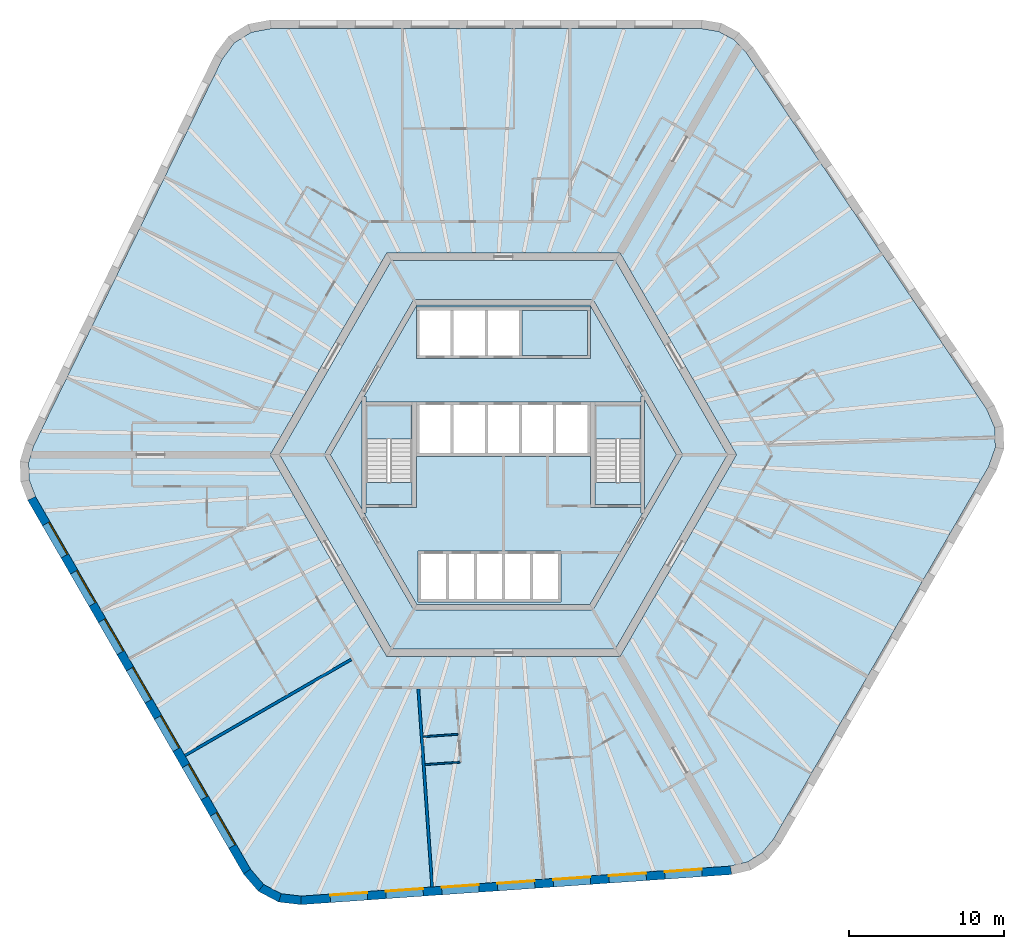
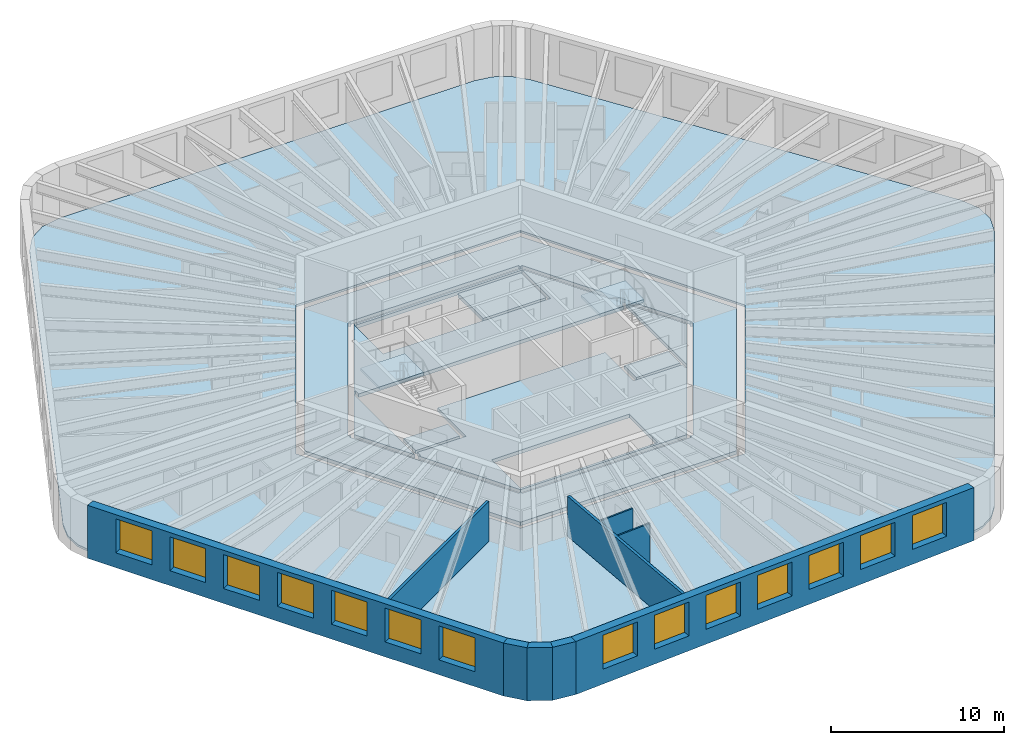
# One storey, part 2 of 10: 14 windows, 11 slabs, 9 walls, 14 openings, 2 elements without a shape of their own.
"""IFC4 building model written with IfcOpenShell, lengths in metres."""

from ifc_helpers import new_model, si_unit, direction, frame, frame_2d, origin, place, context, subcontext, project, spatial, polyline, rectangle, outline, extrude, material, layer, layer_set, type_object, element, fill, aggregate, save


model = new_model("IFC4")

# Units and contexts
model_context = context("Model", 3, precision=1e-05, world=origin(), true_north=direction((0.0, 1.0)))
body_context = subcontext(model_context, "Body", "Model", "MODEL_VIEW")
ifc_project = project(units=[si_unit("LENGTHUNIT", "METRE"), si_unit("AREAUNIT", "SQUARE_METRE"), si_unit("VOLUMEUNIT", "CUBIC_METRE"), si_unit("PLANEANGLEUNIT", "RADIAN"), si_unit("MASSUNIT", "GRAM", prefix="KILO")], contexts=[model_context])

# Site, building, storey
site_placement = place(None, origin())
site = spatial("IfcSite", under=ifc_project, at=site_placement, CompositionType="ELEMENT")
building_placement = place(site_placement, origin())
building = spatial("IfcBuilding", under=site, at=building_placement, Name="Tarnside Tower", CompositionType="ELEMENT")
storey_placement = place(building_placement, frame((0.0, 0.0, 246.300048828125)))
storey = spatial("IfcBuildingStorey", under=building, at=storey_placement, Name="L59", CompositionType="ELEMENT", Elevation=246.300048828125)

# Slabs
ifc_material_1 = material(Name="Concrete C35/45", Category="concrete")
ifc_layer_1 = layer(ifc_material_1, 0.14990234375)
ifc_layer_set_1 = layer_set([ifc_layer_1], Name="Composite floor slab 150")
slab_type_1 = type_object("IfcSlabType", Name="Composite floor slab 150", PredefinedType="FLOOR", material=ifc_layer_set_1)
slab_1_placement = place(storey_placement, frame((0.0, 0.0, -0.150146484375)))
element("IfcSlab", 1, at=slab_1_placement, inside=storey, type_object=slab_type_1, Name="Floor slab L59", PredefinedType="FLOOR", context=body_context, shape_type="SweptSolid", body=[
    extrude(outline(polyline([(13.864013671875, 27.264892578125), (14.85107421875, 26.740234375), (15.6337890625, 25.91064453125), (31.12890625, 2.938232421875), (31.644287109375, 1.7431640625), (31.68896484375, 0.468505859375), (31.258056640625, -0.759521484375), (17.403076171875, -24.7568359375), (16.68017578125, -25.63916015625), (15.732177734375, -26.2314453125), (14.622314453125, -26.494384765625), (-13.02001953125, -28.427490234375), (-14.3125, -28.2763671875), (-15.438720703125, -27.677490234375), (-16.286865234375, -26.6904296875), (-30.1416015625, -2.693115234375), (-30.544189453125, -1.6259765625), (-30.583251953125, -0.5087890625), (-30.256103515625, 0.583984375), (-18.10888671875, 25.4892578125), (-17.331787109375, 26.533203125), (-16.250244140625, 27.208984375), (-14.97119140625, 27.449951171875), (12.738525390625, 27.449951171875), (13.864013671875, 27.264892578125)]), holes=[polyline([(-15.010986328125, 0.0), (-7.505615234375, -13.0), (7.505615234375, -13.0), (15.010986328125, 0.0), (7.505615234375, 13.0), (-7.505615234375, 13.0), (-15.010986328125, 0.0)])]), origin(), (0.0, 0.0, 1.0), 0.150146484375),
])
ifc_material_2 = material(Name="Concrete C40/50", Category="concrete")
ifc_layer_2 = layer(ifc_material_2, 0.25)
ifc_layer_set_2 = layer_set([ifc_layer_2], Name="Core slab C40/50")
slab_type_2 = type_object("IfcSlabType", Name="Core slab C40/50", PredefinedType="FLOOR", material=ifc_layer_set_2)
slab_2_placement = place(storey_placement, frame((0.0, 0.0, -0.25)))
element("IfcSlab", 2, at=slab_2_placement, inside=storey, type_object=slab_type_2, Name="L59 core floor slab 1", PredefinedType="FLOOR", context=body_context, shape_type="SweptSolid", body=[
    extrude(outline(polyline([(-7.216796875, 12.5), (7.216796875, 12.5), (14.433837890625, 0.0), (7.216796875, -12.5), (-7.216796875, -12.5), (-14.433837890625, 0.0), (-7.216796875, 12.5)]), holes=[polyline([(5.823974609375, -9.91259765625), (11.49658203125, -0.08740234375), (11.344970703125, 0.0), (11.49658203125, 0.08740234375), (5.823974609375, 9.91259765625), (5.672607421875, 9.824951171875), (5.672607421875, 10.0), (-5.672607421875, 10.0), (-5.672607421875, 9.824951171875), (-5.823974609375, 9.91259765625), (-11.49658203125, 0.08740234375), (-11.344970703125, 0.0), (-11.49658203125, -0.08740234375), (-5.823974609375, -9.91259765625), (-5.672607421875, -9.824951171875), (-5.672607421875, -10.0), (5.672607421875, -10.0), (5.672607421875, -9.824951171875), (5.823974609375, -9.91259765625)])]), origin(), (0.0, 0.0, 1.0), 0.25),
])
slab_3_placement = place(storey_placement, frame((0.0, 0.0, -0.25)))
element("IfcSlab", 3, at=slab_3_placement, inside=storey, type_object=slab_type_2, Name="L59 core floor slab 2", PredefinedType="FLOOR", context=body_context, shape_type="SweptSolid", body=[
    extrude(outline(polyline([(-8.97509765625, 3.7548828125), (-5.5712890625, 9.64990234375), (5.5712890625, 9.64990234375), (8.97509765625, 3.7548828125), (8.85009765625, 3.7548828125), (8.85009765625, 3.39990234375), (5.89990234375, 3.39990234375), (5.60009765625, 3.39990234375), (5.60009765625, 3.39990234375), (-5.60009765625, 3.39990234375), (-5.89990234375, 3.39990234375), (-8.85009765625, 3.39990234375), (-8.85009765625, 3.7548828125), (-8.97509765625, 3.7548828125)]), holes=[polyline([(-5.60009765625, 6.199951171875), (5.60009765625, 6.199951171875), (5.60009765625, 6.39990234375), (5.60009765625, 9.300048828125), (5.60009765625, 9.5), (-5.60009765625, 9.5), (-5.60009765625, 9.300048828125), (-5.60009765625, 6.39990234375), (-5.60009765625, 6.199951171875)])]), origin(), (0.0, 0.0, 1.0), 0.25),
])
slab_4_placement = place(storey_placement, frame((0.0, 0.0, -0.25)))
element("IfcSlab", 4, at=slab_4_placement, inside=storey, type_object=slab_type_2, Name="L59 core floor slab 3", PredefinedType="FLOOR", context=body_context, shape_type="SweptSolid", body=[
    extrude(outline(polyline([(5.60009765625, -3.39990234375), (5.89990234375, -3.39990234375), (8.85009765625, -3.39990234375), (8.85009765625, -3.7548828125), (8.97509765625, -3.7548828125), (5.5712890625, -9.64990234375), (-5.5712890625, -9.64990234375), (-8.97509765625, -3.7548828125), (-8.85009765625, -3.7548828125), (-8.85009765625, -3.39990234375), (-5.89990234375, -3.39990234375), (-5.60009765625, -3.39990234375), (-5.60009765625, -0.10009765625), (5.60009765625, -0.10009765625), (5.60009765625, -3.39990234375)]), holes=[polyline([(-5.5, -9.300048828125), (-5.5, -9.5), (3.699951171875, -9.5), (3.699951171875, -9.300048828125), (3.699951171875, -6.39990234375), (3.699951171875, -6.199951171875), (-5.5, -6.199951171875), (-5.5, -6.39990234375), (-5.5, -9.300048828125)])]), origin(), (0.0, 0.0, 1.0), 0.25),
])
slab_5_placement = place(storey_placement, frame((0.0, 0.0, -0.25)))
element("IfcSlab", 5, at=slab_5_placement, inside=storey, type_object=slab_type_2, Name="L59 core floor slab 4", PredefinedType="FLOOR", context=body_context, shape_type="SweptSolid", body=[
    extrude(outline(polyline([(-11.142822265625, 0.0), (-9.10009765625, 3.538330078125), (-9.10009765625, -3.538330078125), (-11.142822265625, 0.0)])), origin(), (0.0, 0.0, 1.0), 0.25),
])
slab_6_placement = place(storey_placement, frame((0.0, 0.0, -0.25)))
element("IfcSlab", 6, at=slab_6_placement, inside=storey, type_object=slab_type_2, Name="L59 core floor slab 5", PredefinedType="FLOOR", context=body_context, shape_type="SweptSolid", body=[
    extrude(outline(polyline([(-8.85009765625, -1.800048828125), (-5.89990234375, -1.800048828125), (-5.89990234375, -3.199951171875), (-8.85009765625, -3.199951171875), (-8.85009765625, -1.800048828125)])), origin(), (0.0, 0.0, 1.0), 0.25),
])
slab_7_placement = place(storey_placement, frame((0.0, 0.0, -0.25)))
element("IfcSlab", 7, at=slab_7_placement, inside=storey, type_object=slab_type_2, Name="L59 core floor slab 6", PredefinedType="FLOOR", context=body_context, shape_type="SweptSolid", body=[
    extrude(outline(polyline([(5.89990234375, -3.199951171875), (5.89990234375, -1.800048828125), (8.85009765625, -1.800048828125), (8.85009765625, -3.199951171875), (5.89990234375, -3.199951171875)])), origin(), (0.0, 0.0, 1.0), 0.25),
])
slab_8_placement = place(storey_placement, frame((0.0, 0.0, -0.25)))
element("IfcSlab", 8, at=slab_8_placement, inside=storey, type_object=slab_type_2, Name="L59 core floor slab 7", PredefinedType="FLOOR", context=body_context, shape_type="SweptSolid", body=[
    extrude(outline(polyline([(9.10009765625, -3.538330078125), (9.10009765625, 3.538330078125), (11.142822265625, 0.0), (9.10009765625, -3.538330078125)])), origin(), (0.0, 0.0, 1.0), 0.25),
])
slab_9_placement = place(storey_placement, frame((0.0, 0.0, -0.25)))
element("IfcSlab", 9, at=slab_9_placement, inside=storey, type_object=slab_type_2, Name="L59 core floor slab 8", PredefinedType="FLOOR", context=body_context, shape_type="SweptSolid", body=[
    extrude(outline(polyline([(5.39990234375, 9.300048828125), (5.39990234375, 6.39990234375), (1.199951171875, 6.39990234375), (1.199951171875, 9.300048828125), (5.39990234375, 9.300048828125)])), origin(), (0.0, 0.0, 1.0), 0.25),
])

# Stair, slab
stair_type = type_object("IfcStairType", Name="Exit stair 1400 clear", PredefinedType="HALF_TURN_STAIR", material=ifc_material_2)
stair_1_placement = place(storey_placement, origin())
stair_1 = element("IfcStair", 10, at=stair_1_placement, inside=storey, type_object=stair_type, Name="L59 Exit stair 1", PredefinedType="HALF_TURN_STAIR")
ifc_layer_3 = layer(ifc_material_2, 0.199951171875)
ifc_layer_set_3 = layer_set([ifc_layer_3], Name="Stair landing 200 C40/50")
slab_type_3 = type_object("IfcSlabType", Name="Stair landing 200 C40/50", PredefinedType="LANDING", material=ifc_layer_set_3)
slab_10_placement = place(storey_placement, frame((0.0, 0.0, 1.75)))
slab_10 = element("IfcSlab", 11, at=slab_10_placement, type_object=slab_type_3, Name="ST1 landing 1", PredefinedType="LANDING", context=body_context, shape_type="SweptSolid", body=[
    extrude(outline(polyline([(8.85009765625, 1.0), (8.85009765625, 3.199951171875), (5.89990234375, 3.199951171875), (5.89990234375, 1.0), (8.85009765625, 1.0)])), origin(), (0.0, 0.0, 1.0), 0.199951171875),
])
aggregate(stair_1, [slab_10])

stair_2_placement = place(storey_placement, origin())
stair_2 = element("IfcStair", 12, at=stair_2_placement, inside=storey, type_object=stair_type, Name="L59 Exit stair 2", PredefinedType="HALF_TURN_STAIR")
slab_11_placement = place(storey_placement, frame((0.0, 0.0, 1.75)))
slab_11 = element("IfcSlab", 13, at=slab_11_placement, type_object=slab_type_3, Name="ST2 landing 1", PredefinedType="LANDING", context=body_context, shape_type="SweptSolid", body=[
    extrude(outline(polyline([(-5.89990234375, 1.0), (-5.89990234375, 3.199951171875), (-8.85009765625, 3.199951171875), (-8.85009765625, 1.0), (-5.89990234375, 1.0)])), origin(), (0.0, 0.0, 1.0), 0.199951171875),
])
aggregate(stair_2, [slab_11])

# Walls
ifc_material_3 = material(Name="Gypsum board partition on steel studs", Category="steel")
ifc_layer_4 = layer(ifc_material_3, 0.10009765625)
ifc_layer_set_4 = layer_set([ifc_layer_4], Name="Bathroom wall 100")
wall_type_1 = type_object("IfcWallType", Name="Bathroom wall 100", PredefinedType="PARTITIONING", material=ifc_layer_set_4)
wall_1_placement = place(storey_placement, frame((-5.173583984375, -18.16357421875, 0.0), z_axis=(0.0, 0.0, 1.0), x_axis=(0.997562351999, 0.069780755754, 0.0)))
element("IfcWall", 14, at=wall_1_placement, inside=storey, type_object=wall_type_1, Name="Bathroom wall 19095", PredefinedType="PARTITIONING", context=body_context, shape_type="SweptSolid", body=[
    extrude(rectangle(XDim=2.26025390625, YDim=0.10009765625, at=frame_2d((1.130126953125, 0.0))), origin(), (0.0, 0.0, 1.0), 2.837646484375),
])
ifc_layer_5 = layer(ifc_material_3, 0.179931640625)
ifc_layer_set_5 = layer_set([ifc_layer_5], Name="Demising wall 180 EI 60")
wall_type_2 = type_object("IfcWallType", Name="Demising wall 180 EI 60", PredefinedType="PARTITIONING", material=ifc_layer_set_5)
wall_2_placement = place(storey_placement, frame((-20.513427734375, -19.36962890625, 0.0), z_axis=(0.0, 0.0, 1.0), x_axis=(0.866024931941, 0.500000817256, 0.0)))
element("IfcWall", 15, at=wall_2_placement, inside=storey, type_object=wall_type_2, Name="Demising wall 19083", PredefinedType="PARTITIONING", context=body_context, shape_type="SweptSolid", body=[
    extrude(rectangle(XDim=12.375, YDim=0.179931640625, at=frame_2d((6.1875, 0.0))), origin(), (0.0, 0.0, 1.0), 2.837646484375),
])
wall_3_placement = place(storey_placement, frame((-4.587158203125, -27.837890625, 0.0), z_axis=(0.0, 0.0, 1.0), x_axis=(-0.069764754112, 0.997563471206, 0.0)))
element("IfcWall", 16, at=wall_3_placement, inside=storey, type_object=wall_type_2, Name="Demising wall 19085", PredefinedType="PARTITIONING", context=body_context, shape_type="SweptSolid", body=[
    extrude(rectangle(XDim=12.794189453125, YDim=0.179931640625, at=frame_2d((6.39697265625, 0.0))), origin(), (0.0, 0.0, 1.0), 2.837646484375),
])
ifc_layer_6 = layer(ifc_material_3, 0.10009765625)
ifc_layer_set_6 = layer_set([ifc_layer_6], Name="Partition 100")
wall_type_3 = type_object("IfcWallType", Name="Partition 100", PredefinedType="PARTITIONING", material=ifc_layer_set_6)
wall_4_placement = place(storey_placement, frame((-2.79345703125, -19.801513671875, 0.0), z_axis=(0.0, 0.0, 1.0), x_axis=(-0.997562351999, -0.069780755754, 0.0)))
element("IfcWall", 17, at=wall_4_placement, inside=storey, type_object=wall_type_3, Name="Partition wall 19090", PredefinedType="PARTITIONING", context=body_context, shape_type="SweptSolid", body=[
    extrude(rectangle(XDim=2.26025390625, YDim=0.10009765625, at=frame_2d((1.130126953125, 0.0))), origin(), (0.0, 0.0, 1.0), 2.837646484375),
])

# Wall, openings, windows
ifc_material_4 = material(Name="Facing brick", Category="masonry")
ifc_layer_7 = layer(ifc_material_4, 0.10205078125)
ifc_material_5 = material(Name="Concrete C60/75 precast", Category="concrete")
ifc_layer_8 = layer(ifc_material_5, 0.347900390625)
ifc_material_6 = material(Name="Mineral wool insulation")
ifc_layer_9 = layer(ifc_material_6, 0.10009765625)
ifc_layer_set_7 = layer_set([ifc_layer_7, ifc_layer_8, ifc_layer_9], Name="Tube wall 550 brick faced")
wall_type_4 = type_object("IfcWallType", Name="Tube wall 550 brick faced", PredefinedType="SOLIDWALL", material=ifc_layer_set_7)
wall_5_placement = place(storey_placement, frame((-30.39111328125, -2.81103515625, -0.150146484375), z_axis=(0.0, 0.0, 1.0), x_axis=(0.499998569178, -0.866026229868, 0.0)))
wall_5 = element("IfcWall", 18, at=wall_5_placement, inside=storey, type_object=wall_type_4, Name="Tube wall L59 F3 flush 08", PredefinedType="SOLIDWALL", context=body_context, shape_type="SweptSolid", body=[
    extrude(outline(polyline([(-0.0224609375, -0.27490234375), (27.783447265625, -0.27490234375), (27.732177734375, 0.27490234375), (0.0224609375, 0.27490234375), (-0.0224609375, -0.27490234375)])), origin(), (0.0, 0.0, 1.0), 3.75),
])
opening_1_placement = place(wall_5_placement, frame((1.87890625, 0.0, 1.050048828125)))
opening_1 = element("IfcOpeningElement", 19, at=opening_1_placement, cuts=wall_5, Name="Opening WH", PredefinedType="OPENING", context=body_context, shape_type="SweptSolid", body=[
    extrude(rectangle(XDim=2.39990234375, YDim=2.39990234375, at=frame_2d((1.199951171875, 1.199951171875))), frame((0.0, 0.28515625, 0.0), z_axis=(0.0, -1.0, 0.0), x_axis=(1.0, 0.0, 0.0)), (0.0, 0.0, 1.0), 0.570068359375),
])
opening_2_placement = place(wall_5_placement, frame((5.47900390625, 0.0, 1.050048828125)))
opening_2 = element("IfcOpeningElement", 20, at=opening_2_placement, cuts=wall_5, Name="Opening WH", PredefinedType="OPENING", context=body_context, shape_type="SweptSolid", body=[
    extrude(rectangle(XDim=2.39990234375, YDim=2.39990234375, at=frame_2d((1.199951171875, 1.199951171875))), frame((0.0, 0.28515625, 0.0), z_axis=(0.0, -1.0, 0.0), x_axis=(1.0, 0.0, 0.0)), (0.0, 0.0, 1.0), 0.570068359375),
])
opening_3_placement = place(wall_5_placement, frame((9.078857421875, 0.0, 1.050048828125)))
opening_3 = element("IfcOpeningElement", 21, at=opening_3_placement, cuts=wall_5, Name="Opening WH", PredefinedType="OPENING", context=body_context, shape_type="SweptSolid", body=[
    extrude(rectangle(XDim=2.39990234375, YDim=2.39990234375, at=frame_2d((1.199951171875, 1.199951171875))), frame((0.0, 0.28515625, 0.0), z_axis=(0.0, -1.0, 0.0), x_axis=(1.0, 0.0, 0.0)), (0.0, 0.0, 1.0), 0.570068359375),
])
opening_4_placement = place(wall_5_placement, frame((12.678955078125, 0.0, 1.050048828125)))
opening_4 = element("IfcOpeningElement", 22, at=opening_4_placement, cuts=wall_5, Name="Opening WH", PredefinedType="OPENING", context=body_context, shape_type="SweptSolid", body=[
    extrude(rectangle(XDim=2.39990234375, YDim=2.39990234375, at=frame_2d((1.199951171875, 1.199951171875))), frame((0.0, 0.28515625, 0.0), z_axis=(0.0, -1.0, 0.0), x_axis=(1.0, 0.0, 0.0)), (0.0, 0.0, 1.0), 0.570068359375),
])
opening_5_placement = place(wall_5_placement, frame((16.27880859375, 0.0, 1.050048828125)))
opening_5 = element("IfcOpeningElement", 23, at=opening_5_placement, cuts=wall_5, Name="Opening WH", PredefinedType="OPENING", context=body_context, shape_type="SweptSolid", body=[
    extrude(rectangle(XDim=2.39990234375, YDim=2.39990234375, at=frame_2d((1.199951171875, 1.199951171875))), frame((0.0, 0.28515625, 0.0), z_axis=(0.0, -1.0, 0.0), x_axis=(1.0, 0.0, 0.0)), (0.0, 0.0, 1.0), 0.570068359375),
])
opening_6_placement = place(wall_5_placement, frame((19.87890625, 0.0, 1.050048828125)))
opening_6 = element("IfcOpeningElement", 24, at=opening_6_placement, cuts=wall_5, Name="Opening WH", PredefinedType="OPENING", context=body_context, shape_type="SweptSolid", body=[
    extrude(rectangle(XDim=2.39990234375, YDim=2.39990234375, at=frame_2d((1.199951171875, 1.199951171875))), frame((0.0, 0.28515625, 0.0), z_axis=(0.0, -1.0, 0.0), x_axis=(1.0, 0.0, 0.0)), (0.0, 0.0, 1.0), 0.570068359375),
])
opening_7_placement = place(wall_5_placement, frame((23.47900390625, 0.0, 1.050048828125)))
opening_7 = element("IfcOpeningElement", 25, at=opening_7_placement, cuts=wall_5, Name="Opening WH", PredefinedType="OPENING", context=body_context, shape_type="SweptSolid", body=[
    extrude(rectangle(XDim=2.39990234375, YDim=2.39990234375, at=frame_2d((1.199951171875, 1.199951171875))), frame((0.0, 0.28515625, 0.0), z_axis=(0.0, -1.0, 0.0), x_axis=(1.0, 0.0, 0.0)), (0.0, 0.0, 1.0), 0.570068359375),
])
ifc_material_7 = material(Name="Aluminium-framed double glazing", Category="aluminium")
window_type = type_object("IfcWindowType", Name="Hotel window 2400 x 2400", PartitioningType="DOUBLE_PANEL_VERTICAL", PredefinedType="WINDOW", material=ifc_material_7)
window_1_placement = place(opening_1_placement, frame((0.0, 0.205078125, 0.0)))
window_1 = element("IfcWindow", 26, at=window_1_placement, inside=storey, type_object=window_type, Name="E.WN.L59.F3.00", OverallHeight=2.39990234375, OverallWidth=2.39990234375, PartitioningType="DOUBLE_PANEL_VERTICAL", PredefinedType="WINDOW", context=body_context, shape_type="SweptSolid", body=[
    extrude(rectangle(XDim=2.39990234375, YDim=2.39990234375, at=frame_2d((1.199951171875, 1.199951171875))), frame((0.0, 0.030029296875, 0.0), z_axis=(0.0, -1.0, 0.0), x_axis=(1.0, 0.0, 0.0)), (0.0, 0.0, 1.0), 0.06005859375),
])
fill(opening_1, window_1)
window_2_placement = place(opening_2_placement, frame((0.0, 0.205078125, 0.0)))
window_2 = element("IfcWindow", 27, at=window_2_placement, inside=storey, type_object=window_type, Name="E.WN.L59.F3.01", OverallHeight=2.39990234375, OverallWidth=2.39990234375, PartitioningType="DOUBLE_PANEL_VERTICAL", PredefinedType="WINDOW", context=body_context, shape_type="SweptSolid", body=[
    extrude(rectangle(XDim=2.39990234375, YDim=2.39990234375, at=frame_2d((1.199951171875, 1.199951171875))), frame((0.0, 0.030029296875, 0.0), z_axis=(0.0, -1.0, 0.0), x_axis=(1.0, 0.0, 0.0)), (0.0, 0.0, 1.0), 0.06005859375),
])
fill(opening_2, window_2)
window_3_placement = place(opening_3_placement, frame((0.0, 0.205078125, 0.0)))
window_3 = element("IfcWindow", 28, at=window_3_placement, inside=storey, type_object=window_type, Name="E.WN.L59.F3.02", OverallHeight=2.39990234375, OverallWidth=2.39990234375, PartitioningType="DOUBLE_PANEL_VERTICAL", PredefinedType="WINDOW", context=body_context, shape_type="SweptSolid", body=[
    extrude(rectangle(XDim=2.39990234375, YDim=2.39990234375, at=frame_2d((1.199951171875, 1.199951171875))), frame((0.0, 0.030029296875, 0.0), z_axis=(0.0, -1.0, 0.0), x_axis=(1.0, 0.0, 0.0)), (0.0, 0.0, 1.0), 0.06005859375),
])
fill(opening_3, window_3)
window_4_placement = place(opening_4_placement, frame((0.0, 0.205078125, 0.0)))
window_4 = element("IfcWindow", 29, at=window_4_placement, inside=storey, type_object=window_type, Name="E.WN.L59.F3.03", OverallHeight=2.39990234375, OverallWidth=2.39990234375, PartitioningType="DOUBLE_PANEL_VERTICAL", PredefinedType="WINDOW", context=body_context, shape_type="SweptSolid", body=[
    extrude(rectangle(XDim=2.39990234375, YDim=2.39990234375, at=frame_2d((1.199951171875, 1.199951171875))), frame((0.0, 0.030029296875, 0.0), z_axis=(0.0, -1.0, 0.0), x_axis=(1.0, 0.0, 0.0)), (0.0, 0.0, 1.0), 0.06005859375),
])
fill(opening_4, window_4)
window_5_placement = place(opening_5_placement, frame((0.0, 0.205078125, 0.0)))
window_5 = element("IfcWindow", 30, at=window_5_placement, inside=storey, type_object=window_type, Name="E.WN.L59.F3.04", OverallHeight=2.39990234375, OverallWidth=2.39990234375, PartitioningType="DOUBLE_PANEL_VERTICAL", PredefinedType="WINDOW", context=body_context, shape_type="SweptSolid", body=[
    extrude(rectangle(XDim=2.39990234375, YDim=2.39990234375, at=frame_2d((1.199951171875, 1.199951171875))), frame((0.0, 0.030029296875, 0.0), z_axis=(0.0, -1.0, 0.0), x_axis=(1.0, 0.0, 0.0)), (0.0, 0.0, 1.0), 0.06005859375),
])
fill(opening_5, window_5)
window_6_placement = place(opening_6_placement, frame((0.0, 0.205078125, 0.0)))
window_6 = element("IfcWindow", 31, at=window_6_placement, inside=storey, type_object=window_type, Name="E.WN.L59.F3.05", OverallHeight=2.39990234375, OverallWidth=2.39990234375, PartitioningType="DOUBLE_PANEL_VERTICAL", PredefinedType="WINDOW", context=body_context, shape_type="SweptSolid", body=[
    extrude(rectangle(XDim=2.39990234375, YDim=2.39990234375, at=frame_2d((1.199951171875, 1.199951171875))), frame((0.0, 0.030029296875, 0.0), z_axis=(0.0, -1.0, 0.0), x_axis=(1.0, 0.0, 0.0)), (0.0, 0.0, 1.0), 0.06005859375),
])
fill(opening_6, window_6)
window_7_placement = place(opening_7_placement, frame((0.0, 0.205078125, 0.0)))
window_7 = element("IfcWindow", 32, at=window_7_placement, inside=storey, type_object=window_type, Name="E.WN.L59.F3.06", OverallHeight=2.39990234375, OverallWidth=2.39990234375, PartitioningType="DOUBLE_PANEL_VERTICAL", PredefinedType="WINDOW", context=body_context, shape_type="SweptSolid", body=[
    extrude(rectangle(XDim=2.39990234375, YDim=2.39990234375, at=frame_2d((1.199951171875, 1.199951171875))), frame((0.0, 0.030029296875, 0.0), z_axis=(0.0, -1.0, 0.0), x_axis=(1.0, 0.0, 0.0)), (0.0, 0.0, 1.0), 0.06005859375),
])
fill(opening_7, window_7)

# Walls
wall_6_placement = place(storey_placement, frame((-16.51220703125, -26.85009765625, -0.150146484375), z_axis=(0.0, 0.0, 1.0), x_axis=(0.651621950847, -0.758543890078, 0.0)))
element("IfcWall", 33, at=wall_6_placement, inside=storey, type_object=wall_type_4, Name="Tube wall L59 F3 chord 09", PredefinedType="SOLIDWALL", context=body_context, shape_type="SweptSolid", body=[
    extrude(outline(polyline([(-0.025634765625, -0.27490234375), (1.430908203125, -0.27490234375), (1.327392578125, 0.27490234375), (0.025634765625, 0.27490234375), (-0.025634765625, -0.27490234375)])), origin(), (0.0, 0.0, 1.0), 3.75),
])
wall_7_placement = place(storey_placement, frame((-15.613525390625, -27.896240234375, -0.150146484375), z_axis=(0.0, 0.0, 1.0), x_axis=(0.882994189209, -0.469383917304, 0.0)))
element("IfcWall", 34, at=wall_7_placement, inside=storey, type_object=wall_type_4, Name="Tube wall L59 F3 chord 10", PredefinedType="SOLIDWALL", context=body_context, shape_type="SweptSolid", body=[
    extrude(outline(polyline([(-0.0517578125, -0.27490234375), (1.4306640625, -0.27490234375), (1.3271484375, 0.27490234375), (0.0517578125, 0.27490234375), (-0.0517578125, -0.27490234375)])), origin(), (0.0, 0.0, 1.0), 3.75),
])
wall_8_placement = place(storey_placement, frame((-14.39599609375, -28.54345703125, -0.150146484375), z_axis=(0.0, 0.0, 1.0), x_axis=(0.993232537394, -0.11614269956, 0.0)))
element("IfcWall", 35, at=wall_8_placement, inside=storey, type_object=wall_type_4, Name="Tube wall L59 F3 chord 11", PredefinedType="SOLIDWALL", context=body_context, shape_type="SweptSolid", body=[
    extrude(outline(polyline([(-0.0517578125, -0.27490234375), (1.404541015625, -0.27490234375), (1.353271484375, 0.27490234375), (0.0517578125, 0.27490234375), (-0.0517578125, -0.27490234375)])), origin(), (0.0, 0.0, 1.0), 3.75),
])

# Wall, openings, windows
wall_9_placement = place(storey_placement, frame((-13.0263671875, -28.70361328125, -0.150146484375), z_axis=(0.0, 0.0, 1.0), x_axis=(0.99756406806, 0.069756219185, 0.0)))
wall_9 = element("IfcWall", 36, at=wall_9_placement, inside=storey, type_object=wall_type_4, Name="Tube wall L59 F4 flush 12", PredefinedType="SOLIDWALL", context=body_context, shape_type="SweptSolid", body=[
    extrude(outline(polyline([(-0.025634765625, -0.27490234375), (27.7802734375, -0.27490234375), (27.7353515625, 0.27490234375), (0.025634765625, 0.27490234375), (-0.025634765625, -0.27490234375)])), origin(), (0.0, 0.0, 1.0), 3.75),
])
opening_8_placement = place(wall_9_placement, frame((1.87890625, 0.0, 1.050048828125)))
opening_8 = element("IfcOpeningElement", 37, at=opening_8_placement, cuts=wall_9, Name="Opening WH", PredefinedType="OPENING", context=body_context, shape_type="SweptSolid", body=[
    extrude(rectangle(XDim=2.39990234375, YDim=2.39990234375, at=frame_2d((1.199951171875, 1.199951171875))), frame((0.0, 0.28515625, 0.0), z_axis=(0.0, -1.0, 0.0), x_axis=(1.0, 0.0, 0.0)), (0.0, 0.0, 1.0), 0.570068359375),
])
opening_9_placement = place(wall_9_placement, frame((5.47900390625, 0.0, 1.050048828125)))
opening_9 = element("IfcOpeningElement", 38, at=opening_9_placement, cuts=wall_9, Name="Opening WH", PredefinedType="OPENING", context=body_context, shape_type="SweptSolid", body=[
    extrude(rectangle(XDim=2.39990234375, YDim=2.39990234375, at=frame_2d((1.199951171875, 1.199951171875))), frame((0.0, 0.28515625, 0.0), z_axis=(0.0, -1.0, 0.0), x_axis=(1.0, 0.0, 0.0)), (0.0, 0.0, 1.0), 0.570068359375),
])
opening_10_placement = place(wall_9_placement, frame((9.078857421875, 0.0, 1.050048828125)))
opening_10 = element("IfcOpeningElement", 39, at=opening_10_placement, cuts=wall_9, Name="Opening WH", PredefinedType="OPENING", context=body_context, shape_type="SweptSolid", body=[
    extrude(rectangle(XDim=2.39990234375, YDim=2.39990234375, at=frame_2d((1.199951171875, 1.199951171875))), frame((0.0, 0.28515625, 0.0), z_axis=(0.0, -1.0, 0.0), x_axis=(1.0, 0.0, 0.0)), (0.0, 0.0, 1.0), 0.570068359375),
])
opening_11_placement = place(wall_9_placement, frame((12.678955078125, 0.0, 1.050048828125)))
opening_11 = element("IfcOpeningElement", 40, at=opening_11_placement, cuts=wall_9, Name="Opening WH", PredefinedType="OPENING", context=body_context, shape_type="SweptSolid", body=[
    extrude(rectangle(XDim=2.39990234375, YDim=2.39990234375, at=frame_2d((1.199951171875, 1.199951171875))), frame((0.0, 0.28515625, 0.0), z_axis=(0.0, -1.0, 0.0), x_axis=(1.0, 0.0, 0.0)), (0.0, 0.0, 1.0), 0.570068359375),
])
opening_12_placement = place(wall_9_placement, frame((16.27880859375, 0.0, 1.050048828125)))
opening_12 = element("IfcOpeningElement", 41, at=opening_12_placement, cuts=wall_9, Name="Opening WH", PredefinedType="OPENING", context=body_context, shape_type="SweptSolid", body=[
    extrude(rectangle(XDim=2.39990234375, YDim=2.39990234375, at=frame_2d((1.199951171875, 1.199951171875))), frame((0.0, 0.28515625, 0.0), z_axis=(0.0, -1.0, 0.0), x_axis=(1.0, 0.0, 0.0)), (0.0, 0.0, 1.0), 0.570068359375),
])
opening_13_placement = place(wall_9_placement, frame((19.87890625, 0.0, 1.050048828125)))
opening_13 = element("IfcOpeningElement", 42, at=opening_13_placement, cuts=wall_9, Name="Opening WH", PredefinedType="OPENING", context=body_context, shape_type="SweptSolid", body=[
    extrude(rectangle(XDim=2.39990234375, YDim=2.39990234375, at=frame_2d((1.199951171875, 1.199951171875))), frame((0.0, 0.28515625, 0.0), z_axis=(0.0, -1.0, 0.0), x_axis=(1.0, 0.0, 0.0)), (0.0, 0.0, 1.0), 0.570068359375),
])
opening_14_placement = place(wall_9_placement, frame((23.47900390625, 0.0, 1.050048828125)))
opening_14 = element("IfcOpeningElement", 43, at=opening_14_placement, cuts=wall_9, Name="Opening WH", PredefinedType="OPENING", context=body_context, shape_type="SweptSolid", body=[
    extrude(rectangle(XDim=2.39990234375, YDim=2.39990234375, at=frame_2d((1.199951171875, 1.199951171875))), frame((0.0, 0.28515625, 0.0), z_axis=(0.0, -1.0, 0.0), x_axis=(1.0, 0.0, 0.0)), (0.0, 0.0, 1.0), 0.570068359375),
])
window_8_placement = place(opening_8_placement, frame((0.0, 0.205078125, 0.0)))
window_8 = element("IfcWindow", 44, at=window_8_placement, inside=storey, type_object=window_type, Name="E.WN.L59.F4.00", OverallHeight=2.39990234375, OverallWidth=2.39990234375, PartitioningType="DOUBLE_PANEL_VERTICAL", PredefinedType="WINDOW", context=body_context, shape_type="SweptSolid", body=[
    extrude(rectangle(XDim=2.39990234375, YDim=2.39990234375, at=frame_2d((1.199951171875, 1.199951171875))), frame((0.0, 0.030029296875, 0.0), z_axis=(0.0, -1.0, 0.0), x_axis=(1.0, 0.0, 0.0)), (0.0, 0.0, 1.0), 0.06005859375),
])
fill(opening_8, window_8)
window_9_placement = place(opening_9_placement, frame((0.0, 0.205078125, 0.0)))
window_9 = element("IfcWindow", 45, at=window_9_placement, inside=storey, type_object=window_type, Name="E.WN.L59.F4.01", OverallHeight=2.39990234375, OverallWidth=2.39990234375, PartitioningType="DOUBLE_PANEL_VERTICAL", PredefinedType="WINDOW", context=body_context, shape_type="SweptSolid", body=[
    extrude(rectangle(XDim=2.39990234375, YDim=2.39990234375, at=frame_2d((1.199951171875, 1.199951171875))), frame((0.0, 0.030029296875, 0.0), z_axis=(0.0, -1.0, 0.0), x_axis=(1.0, 0.0, 0.0)), (0.0, 0.0, 1.0), 0.06005859375),
])
fill(opening_9, window_9)
window_10_placement = place(opening_10_placement, frame((0.0, 0.205078125, 0.0)))
window_10 = element("IfcWindow", 46, at=window_10_placement, inside=storey, type_object=window_type, Name="E.WN.L59.F4.02", OverallHeight=2.39990234375, OverallWidth=2.39990234375, PartitioningType="DOUBLE_PANEL_VERTICAL", PredefinedType="WINDOW", context=body_context, shape_type="SweptSolid", body=[
    extrude(rectangle(XDim=2.39990234375, YDim=2.39990234375, at=frame_2d((1.199951171875, 1.199951171875))), frame((0.0, 0.030029296875, 0.0), z_axis=(0.0, -1.0, 0.0), x_axis=(1.0, 0.0, 0.0)), (0.0, 0.0, 1.0), 0.06005859375),
])
fill(opening_10, window_10)
window_11_placement = place(opening_11_placement, frame((0.0, 0.205078125, 0.0)))
window_11 = element("IfcWindow", 47, at=window_11_placement, inside=storey, type_object=window_type, Name="E.WN.L59.F4.03", OverallHeight=2.39990234375, OverallWidth=2.39990234375, PartitioningType="DOUBLE_PANEL_VERTICAL", PredefinedType="WINDOW", context=body_context, shape_type="SweptSolid", body=[
    extrude(rectangle(XDim=2.39990234375, YDim=2.39990234375, at=frame_2d((1.199951171875, 1.199951171875))), frame((0.0, 0.030029296875, 0.0), z_axis=(0.0, -1.0, 0.0), x_axis=(1.0, 0.0, 0.0)), (0.0, 0.0, 1.0), 0.06005859375),
])
fill(opening_11, window_11)
window_12_placement = place(opening_12_placement, frame((0.0, 0.205078125, 0.0)))
window_12 = element("IfcWindow", 48, at=window_12_placement, inside=storey, type_object=window_type, Name="E.WN.L59.F4.04", OverallHeight=2.39990234375, OverallWidth=2.39990234375, PartitioningType="DOUBLE_PANEL_VERTICAL", PredefinedType="WINDOW", context=body_context, shape_type="SweptSolid", body=[
    extrude(rectangle(XDim=2.39990234375, YDim=2.39990234375, at=frame_2d((1.199951171875, 1.199951171875))), frame((0.0, 0.030029296875, 0.0), z_axis=(0.0, -1.0, 0.0), x_axis=(1.0, 0.0, 0.0)), (0.0, 0.0, 1.0), 0.06005859375),
])
fill(opening_12, window_12)
window_13_placement = place(opening_13_placement, frame((0.0, 0.205078125, 0.0)))
window_13 = element("IfcWindow", 49, at=window_13_placement, inside=storey, type_object=window_type, Name="E.WN.L59.F4.05", OverallHeight=2.39990234375, OverallWidth=2.39990234375, PartitioningType="DOUBLE_PANEL_VERTICAL", PredefinedType="WINDOW", context=body_context, shape_type="SweptSolid", body=[
    extrude(rectangle(XDim=2.39990234375, YDim=2.39990234375, at=frame_2d((1.199951171875, 1.199951171875))), frame((0.0, 0.030029296875, 0.0), z_axis=(0.0, -1.0, 0.0), x_axis=(1.0, 0.0, 0.0)), (0.0, 0.0, 1.0), 0.06005859375),
])
fill(opening_13, window_13)
window_14_placement = place(opening_14_placement, frame((0.0, 0.205078125, 0.0)))
window_14 = element("IfcWindow", 50, at=window_14_placement, inside=storey, type_object=window_type, Name="E.WN.L59.F4.06", OverallHeight=2.39990234375, OverallWidth=2.39990234375, PartitioningType="DOUBLE_PANEL_VERTICAL", PredefinedType="WINDOW", context=body_context, shape_type="SweptSolid", body=[
    extrude(rectangle(XDim=2.39990234375, YDim=2.39990234375, at=frame_2d((1.199951171875, 1.199951171875))), frame((0.0, 0.030029296875, 0.0), z_axis=(0.0, -1.0, 0.0), x_axis=(1.0, 0.0, 0.0)), (0.0, 0.0, 1.0), 0.06005859375),
])
fill(opening_14, window_14)

save(model, "model.ifc")
